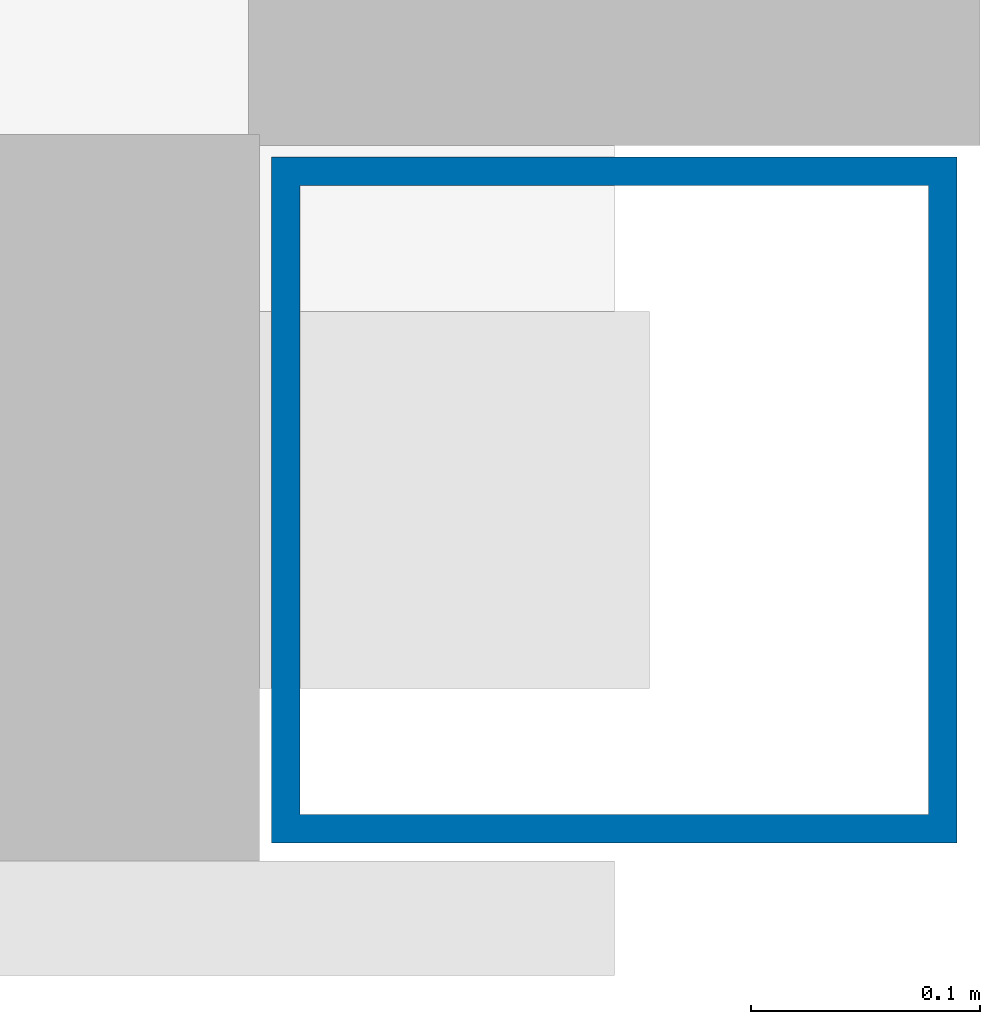
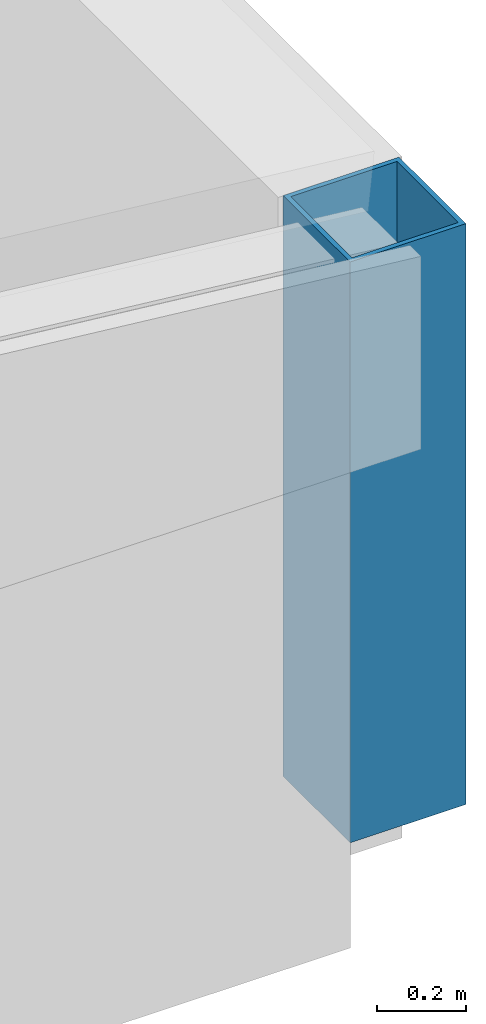
# One storey, part 16 of 84: 1 column.
"""IFC4 building model written with IfcOpenShell, lengths in metres."""

import ifcopenshell
import ifcopenshell.guid

model = None  # the IFC model being written
_history = None  # IfcOwnerHistory: only IFC2X3 demands one
_inside = {}  # id of a spatial element -> (the spatial element, [elements in it])
_under = {}  # id of a project, library or spatial element -> (it, [spatial elements below it])
_declared = {}  # id of a project -> (the project, [libraries it declares])
_typed = {}  # id of a type object -> (the type object, [elements of that type])
_made_of = {}  # id of a material, layer set ... -> (it, [elements and type objects made of it])


def new_model(schema):
    """Start an empty IFC model of exactly this schema.

    Asked for "IFC4X3", IfcOpenShell would pick the latest addendum, in which some entities
    have other attributes; the version numbers below select the first issue.
    IFC2X3 requires an IfcOwnerHistory on every rooted entity: one is made here for all.
    """
    global model, _history
    if schema == "IFC4X3":
        model = ifcopenshell.file(schema_version=(4, 3, 0, 0))
    else:
        model = ifcopenshell.file(schema=schema)
    _inside.clear()
    _under.clear()
    _declared.clear()
    _typed.clear()
    _made_of.clear()
    _history = None
    if model.schema == "IFC2X3":
        org = make("IfcOrganization", Name="unknown")
        user = make(
            "IfcPersonAndOrganization",
            ThePerson=make("IfcPerson", FamilyName="unknown"),
            TheOrganization=org,
        )
        app = make(
            "IfcApplication",
            ApplicationDeveloper=org,
            Version="unknown",
            ApplicationFullName="unknown",
            ApplicationIdentifier="unknown",
        )
        _history = make(
            "IfcOwnerHistory",
            OwningUser=user,
            OwningApplication=app,
            ChangeAction="ADDED",
            CreationDate=0,
        )
    return model


def make(cls, **values):
    """One entity of the class cls with the attributes given. An attribute that is None is left unset."""
    return model.create_entity(
        cls, **{name: value for name, value in values.items() if value is not None}
    )


def rooted(cls, **values):
    """An entity with a GlobalId (a new one), such as an element, a storey or a relation."""
    return make(cls, GlobalId=ifcopenshell.guid.new(), OwnerHistory=_history, **values)


def si_unit(unit_type, name, prefix=None):
    """IfcSIUnit, for example si_unit("LENGTHUNIT", "METRE", prefix="MILLI")."""
    return make("IfcSIUnit", UnitType=unit_type, Prefix=prefix, Name=name)


def assignment(units):
    """IfcUnitAssignment: the units of a project."""
    return None if units is None else make("IfcUnitAssignment", Units=units)


def point(xyz):
    """IfcCartesianPoint."""
    return None if xyz is None else make("IfcCartesianPoint", Coordinates=xyz)


def direction(xyz):
    """IfcDirection."""
    return None if xyz is None else make("IfcDirection", DirectionRatios=xyz)


def frame(location, z_axis=None, x_axis=None):
    """IfcAxis2Placement3D, a coordinate frame: its origin and axes. An axis left out is left unset."""
    return make(
        "IfcAxis2Placement3D",
        Location=point(location),
        Axis=direction(z_axis),
        RefDirection=direction(x_axis),
    )


def frame_2d(location, x_axis=None):
    """IfcAxis2Placement2D, a coordinate frame in the plane: its origin and x axis."""
    return make(
        "IfcAxis2Placement2D", Location=point(location), RefDirection=direction(x_axis)
    )


def origin():
    """The frame at (0, 0, 0) with its axes left unset."""
    return frame((0.0, 0.0, 0.0))


def origin_2d():
    """The frame at (0, 0) in the plane with its x axis left unset."""
    return frame_2d((0.0, 0.0))


def place(relative_to, where):
    """IfcLocalPlacement: puts the frame where relative to a parent placement (None: the world)."""
    return make(
        "IfcLocalPlacement", PlacementRelTo=relative_to, RelativePlacement=where
    )


def context(
    kind, dimensions, precision=None, world=None, true_north=None, identifier=None
):
    """IfcGeometricRepresentationContext, for example the 3D "Model" context."""
    return make(
        "IfcGeometricRepresentationContext",
        ContextIdentifier=identifier,
        ContextType=kind,
        CoordinateSpaceDimension=dimensions,
        Precision=precision,
        WorldCoordinateSystem=world,
        TrueNorth=true_north,
    )


def subcontext(parent, identifier, kind, view, scale=None):
    """IfcGeometricRepresentationSubContext, for example "Body" below "Model"."""
    return make(
        "IfcGeometricRepresentationSubContext",
        ContextIdentifier=identifier,
        ContextType=kind,
        ParentContext=parent,
        TargetScale=scale,
        TargetView=view,
    )


def project(units=None, contexts=None):
    """IfcProject with its units and contexts."""
    return rooted(
        "IfcProject",
        Name="project",
        RepresentationContexts=contexts,
        UnitsInContext=assignment(units),
    )


def spatial(cls, under=None, at=None, **own):
    """A site, building, storey or space (cls), placed at a placement, below another one or the project."""
    s = rooted(cls, ObjectPlacement=at, **own)
    if under is not None:
        _under.setdefault(under.id(), (under, []))[1].append(s)
    return s


def profile(cls, at=None, kind="AREA", **sizes):
    """A parametric profile (cls). Its sizes go by their IFC names, for example OverallWidth=200.0."""
    return make(cls, ProfileType=kind, Position=at, **sizes)


def hollow_rectangle(**sizes):
    """IfcRectangleHollowProfileDef."""
    return profile("IfcRectangleHollowProfileDef", **sizes)


def extrude(swept, where, along, depth):
    """IfcExtrudedAreaSolid: the profile swept, set in the frame where, extruded along a direction by depth."""
    return make(
        "IfcExtrudedAreaSolid",
        SweptArea=swept,
        Position=where,
        ExtrudedDirection=direction(along),
        Depth=depth,
    )


def shape(context_of_items, identifier, shape_type, items):
    """IfcShapeRepresentation: the items that make up one representation, for example the "Body"."""
    return make(
        "IfcShapeRepresentation",
        ContextOfItems=context_of_items,
        RepresentationIdentifier=identifier,
        RepresentationType=shape_type,
        Items=items,
    )


def material(Name=None, Category=None):
    """IfcMaterial."""
    return make("IfcMaterial", Name=Name, Category=Category)


def material_profile(
    of_material, cross_section, Name=None, Category=None, Priority=None
):
    """IfcMaterialProfile: a cross section and its material."""
    return make(
        "IfcMaterialProfile",
        Name=Name,
        Material=of_material,
        Profile=cross_section,
        Priority=Priority,
        Category=Category,
    )


def profile_set(profiles, Name=None, composite=None):
    """IfcMaterialProfileSet."""
    return make(
        "IfcMaterialProfileSet",
        Name=Name,
        MaterialProfiles=profiles,
        CompositeProfile=composite,
    )


def made_of(thing, what):
    """Note that an element or type object is made of a material, layer set ...; save() writes the relation."""
    if what is not None:
        _made_of.setdefault(what.id(), (what, []))[1].append(thing)
    return thing


def type_object(cls, material=None, **own):
    """A type object (cls), such as IfcWallType, which elements share."""
    return made_of(rooted(cls, **own), material)


def element(
    cls,
    number,
    at=None,
    inside=None,
    cuts=None,
    type_object=None,
    material=None,
    context=None,
    identifier="Body",
    shape_type=None,
    held_by="IfcProductDefinitionShape",
    body=None,
    shapes=None,
    **own,
):
    """One element of the class cls, such as IfcWall. Its Tag is "e" and its number.

    at: its placement. inside: the storey or other place that contains it. cuts: it is an
    opening in that element (IfcRelVoidsElement). A single representation is given by context,
    identifier, shape_type and body (its items); several are given by shapes. held_by: the class
    of the entity that holds the representations. save() writes the other relations.
    """
    e = rooted(cls, Tag="e%d" % number, ObjectPlacement=at, **own)
    if body is not None:
        shapes = [shape(context, identifier, shape_type, body)]
    if shapes is not None:
        e.Representation = make(held_by, Representations=shapes)
    if inside is not None:
        _inside.setdefault(inside.id(), (inside, []))[1].append(e)
    if cuts is not None:
        rooted(
            "IfcRelVoidsElement", RelatingBuildingElement=cuts, RelatedOpeningElement=e
        )
    if type_object is not None:
        _typed.setdefault(type_object.id(), (type_object, []))[1].append(e)
    return made_of(e, material)


def aggregate(whole, parts):
    """IfcRelAggregates: a whole, such as a stair, and the parts it consists of."""
    return rooted("IfcRelAggregates", RelatingObject=whole, RelatedObjects=parts)


def save(model, path):
    """Write the relations noted so far, then the file.

    IfcRelAggregates (storeys below a building ...), IfcRelContainedInSpatialStructure (elements
    in a storey), IfcRelDefinesByType, IfcRelAssociatesMaterial and IfcRelDeclares: one each for
    every whole, place, type object, material and project.
    """
    for whole, parts in _under.values():
        aggregate(whole, parts)
    for where, things in _inside.values():
        rooted(
            "IfcRelContainedInSpatialStructure",
            RelatedElements=things,
            RelatingStructure=where,
        )
    for kind, things in _typed.values():
        rooted("IfcRelDefinesByType", RelatedObjects=things, RelatingType=kind)
    for what, things in _made_of.values():
        rooted("IfcRelAssociatesMaterial", RelatedObjects=things, RelatingMaterial=what)
    for by, libraries in _declared.values():
        rooted("IfcRelDeclares", RelatingContext=by, RelatedDefinitions=libraries)
    model.write(path)


model = new_model("IFC4")

# Units and contexts
model_context = context("Model", 3, precision=1e-05, world=origin(), true_north=direction((0.0, 1.0)))
body_context = subcontext(model_context, "Body", "Model", "MODEL_VIEW")
ifc_project = project(units=[si_unit("LENGTHUNIT", "METRE"), si_unit("AREAUNIT", "SQUARE_METRE"), si_unit("VOLUMEUNIT", "CUBIC_METRE"), si_unit("PLANEANGLEUNIT", "RADIAN"), si_unit("MASSUNIT", "GRAM", prefix="KILO")], contexts=[model_context])

# Site, building, storey
site_placement = place(None, origin())
site = spatial("IfcSite", under=ifc_project, at=site_placement, CompositionType="ELEMENT")
building_placement = place(site_placement, origin())
building = spatial("IfcBuilding", under=site, at=building_placement, Name="Glasvene Arena", CompositionType="ELEMENT")
storey_placement = place(building_placement, frame((0.0, 0.0, 10.199951171875)))
storey = spatial("IfcBuildingStorey", under=building, at=storey_placement, Name="L02", CompositionType="ELEMENT", Elevation=10.199951171875)

# Column
ifc_material = material(Name="Steel S355J2", Category="steel")
ifc_material_profile = material_profile(ifc_material, hollow_rectangle(XDim=0.300048828125, YDim=0.300048828125, WallThickness=0.012451171875, at=origin_2d()), Name="SHS 300x300x12.5")
ifc_profile_set = profile_set([ifc_material_profile], Name="Steel S355J2")
column_type = type_object("IfcColumnType", Name="COL-W-SHS300", PredefinedType="COLUMN", material=ifc_profile_set)
column_placement = place(storey_placement, frame((174.0, 54.0, 0.0), z_axis=(0.0, 0.0, 1.0), x_axis=(1.0, 0.0, 0.0)))
element("IfcColumn", 1, at=column_placement, inside=storey, type_object=column_type, Name="Wing roof eave post V5-E-6", PredefinedType="COLUMN", context=body_context, shape_type="SweptSolid", body=[
    extrude(hollow_rectangle(XDim=0.300048828125, YDim=0.300048828125, WallThickness=0.012451171875, at=origin_2d()), origin(), (0.0, 0.0, 1.0), 1.590087890625),
])

save(model, "model.ifc")
